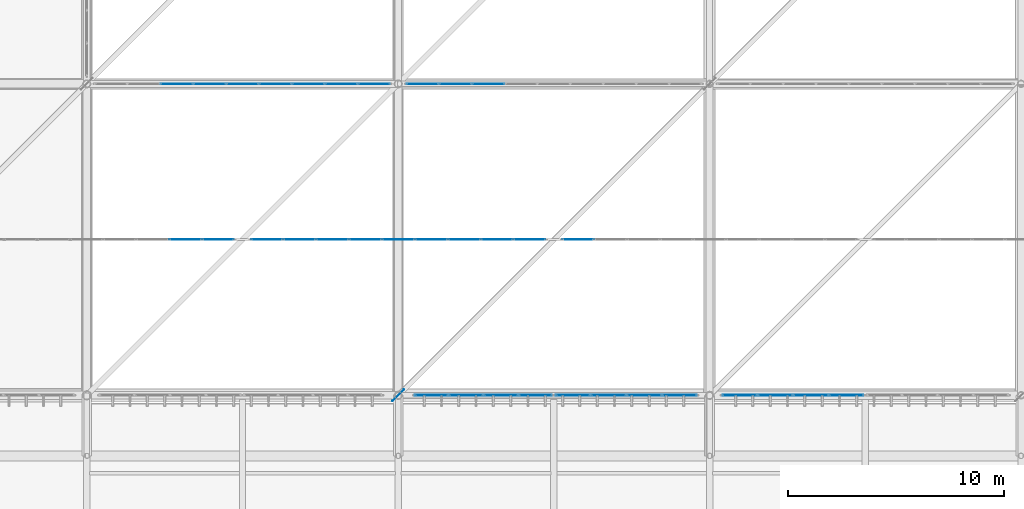
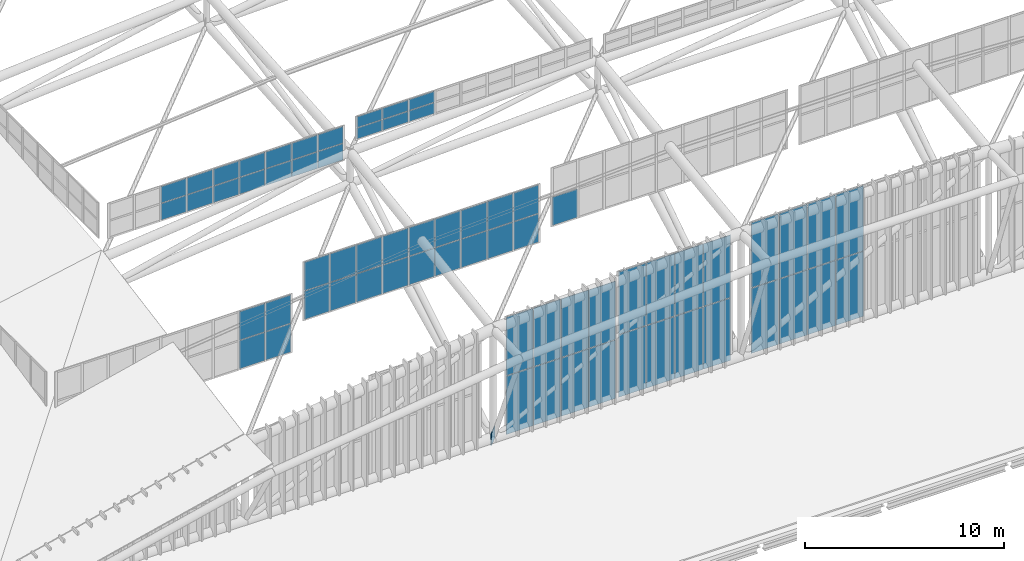
# One storey, part 360 of 397: 68 plates, 8 elements without a shape of their own.
"""IFC4 building model written with IfcOpenShell, lengths in metres."""

from ifc_helpers import new_model, si_unit, direction, frame, origin, origin_2d, place, context, subcontext, project, spatial, rectangle, extrude, material, layer, layer_set, type_object, element, aggregate, save


model = new_model("IFC4")

# Units and contexts
model_context = context("Model", 3, precision=1e-05, world=origin(), true_north=direction((0.0, 1.0)))
body_context = subcontext(model_context, "Body", "Model", "MODEL_VIEW")
ifc_project = project(units=[si_unit("LENGTHUNIT", "METRE"), si_unit("AREAUNIT", "SQUARE_METRE"), si_unit("VOLUMEUNIT", "CUBIC_METRE"), si_unit("PLANEANGLEUNIT", "RADIAN"), si_unit("MASSUNIT", "GRAM", prefix="KILO")], contexts=[model_context])

# Site, building, storey
site_placement = place(None, origin())
site = spatial("IfcSite", under=ifc_project, at=site_placement, CompositionType="ELEMENT")
building_placement = place(site_placement, origin())
building = spatial("IfcBuilding", under=site, at=building_placement, Name="Qandorah Velis Arena", CompositionType="ELEMENT")
storey_placement = place(building_placement, frame((0.0, 0.0, 27.5)))
storey = spatial("IfcBuildingStorey", under=building, at=storey_placement, Name="RF", CompositionType="ELEMENT", Elevation=27.5)

# Curtain wall, plates
ifc_material_1 = material(Name="Solar-control low-E double glazing", Category="glass")
curtain_wall_type_1 = type_object("IfcCurtainWallType", Name="ARC-CW-SYS19", PredefinedType="USERDEFINED", material=ifc_material_1)
curtain_wall_1_placement = place(storey_placement, origin())
curtain_wall_1 = element("IfcCurtainWall", 1, at=curtain_wall_1_placement, inside=storey, type_object=curtain_wall_type_1, Name="Unitised curtain wall MON-3-1", ObjectType="UNITISED CURTAIN WALL", PredefinedType="USERDEFINED")
ifc_layer_1 = layer(ifc_material_1, 0.030029296875)
ifc_layer_set_1 = layer_set([ifc_layer_1], Name="Solar-control low-E double glazing")
plate_type_1 = type_object("IfcPlateType", Name="ARC-CWP-GLZ30", PredefinedType="CURTAIN_PANEL", material=ifc_layer_set_1)
plate_1_placement = place(storey_placement, frame((33.36669921875, 21.60009765625, 3.685546875), z_axis=(0.0, 0.0, 1.0), x_axis=(1.0, 0.0, 0.0)))
plate_1 = element("IfcPlate", 2, at=plate_1_placement, type_object=plate_type_1, Name="CW19 panel 8.1", PredefinedType="CURTAIN_PANEL", context=body_context, shape_type="SweptSolid", body=[
    extrude(rectangle(XDim=1.4873046875, YDim=0.030029296875, at=origin_2d()), origin(), (0.0, 0.0, 1.0), 1.737548828125),
])
plate_2_placement = place(storey_placement, frame((33.36669921875, 21.60009765625, 5.45849609375), z_axis=(0.0, 0.0, 1.0), x_axis=(1.0, 0.0, 0.0)))
plate_2 = element("IfcPlate", 3, at=plate_2_placement, type_object=plate_type_1, Name="CW19 panel 8.2", PredefinedType="CURTAIN_PANEL", context=body_context, shape_type="SweptSolid", body=[
    extrude(rectangle(XDim=1.4873046875, YDim=0.030029296875, at=origin_2d()), origin(), (0.0, 0.0, 1.0), 1.737548828125),
])
plate_3_placement = place(storey_placement, frame((34.875244140625, 21.60009765625, 3.685546875), z_axis=(0.0, 0.0, 1.0), x_axis=(1.0, 0.0, 0.0)))
plate_3 = element("IfcPlate", 4, at=plate_3_placement, type_object=plate_type_1, Name="CW19 panel 9.1", PredefinedType="CURTAIN_PANEL", context=body_context, shape_type="SweptSolid", body=[
    extrude(rectangle(XDim=1.459716796875, YDim=0.030029296875, at=origin_2d()), origin(), (0.0, 0.0, 1.0), 1.737548828125),
])
plate_4_placement = place(storey_placement, frame((34.875244140625, 21.60009765625, 5.45849609375), z_axis=(0.0, 0.0, 1.0), x_axis=(1.0, 0.0, 0.0)))
plate_4 = element("IfcPlate", 5, at=plate_4_placement, type_object=plate_type_1, Name="CW19 panel 9.2", PredefinedType="CURTAIN_PANEL", context=body_context, shape_type="SweptSolid", body=[
    extrude(rectangle(XDim=1.459716796875, YDim=0.030029296875, at=origin_2d()), origin(), (0.0, 0.0, 1.0), 1.737548828125),
])
aggregate(curtain_wall_1, [plate_1, plate_2, plate_3, plate_4])

curtain_wall_type_2 = type_object("IfcCurtainWallType", Name="ARC-CW-SYS20", PredefinedType="USERDEFINED", material=ifc_material_1)
curtain_wall_2_placement = place(storey_placement, origin())
curtain_wall_2 = element("IfcCurtainWall", 6, at=curtain_wall_2_placement, inside=storey, type_object=curtain_wall_type_2, Name="Unitised curtain wall MON-3-2", ObjectType="UNITISED CURTAIN WALL", PredefinedType="USERDEFINED")
plate_5_placement = place(storey_placement, frame((37.124755859375, 21.60009765625, 5.3974609375), z_axis=(0.0, 0.0, 1.0), x_axis=(1.0, 0.0, 0.0)))
plate_5 = element("IfcPlate", 7, at=plate_5_placement, type_object=plate_type_1, Name="CW20 panel 1.1", PredefinedType="CURTAIN_PANEL", context=body_context, shape_type="SweptSolid", body=[
    extrude(rectangle(XDim=1.459716796875, YDim=0.030029296875, at=origin_2d()), origin(), (0.0, 0.0, 1.0), 1.737548828125),
])
plate_6_placement = place(storey_placement, frame((37.124755859375, 21.60009765625, 7.17041015625), z_axis=(0.0, 0.0, 1.0), x_axis=(1.0, 0.0, 0.0)))
plate_6 = element("IfcPlate", 8, at=plate_6_placement, type_object=plate_type_1, Name="CW20 panel 1.2", PredefinedType="CURTAIN_PANEL", context=body_context, shape_type="SweptSolid", body=[
    extrude(rectangle(XDim=1.459716796875, YDim=0.030029296875, at=origin_2d()), origin(), (0.0, 0.0, 1.0), 1.737548828125),
])
plate_7_placement = place(storey_placement, frame((38.63330078125, 21.60009765625, 5.3974609375), z_axis=(0.0, 0.0, 1.0), x_axis=(1.0, 0.0, 0.0)))
plate_7 = element("IfcPlate", 9, at=plate_7_placement, type_object=plate_type_1, Name="CW20 panel 2.1", PredefinedType="CURTAIN_PANEL", context=body_context, shape_type="SweptSolid", body=[
    extrude(rectangle(XDim=1.4873046875, YDim=0.030029296875, at=origin_2d()), origin(), (0.0, 0.0, 1.0), 1.737548828125),
])
plate_8_placement = place(storey_placement, frame((38.63330078125, 21.60009765625, 7.17041015625), z_axis=(0.0, 0.0, 1.0), x_axis=(1.0, 0.0, 0.0)))
plate_8 = element("IfcPlate", 10, at=plate_8_placement, type_object=plate_type_1, Name="CW20 panel 2.2", PredefinedType="CURTAIN_PANEL", context=body_context, shape_type="SweptSolid", body=[
    extrude(rectangle(XDim=1.4873046875, YDim=0.030029296875, at=origin_2d()), origin(), (0.0, 0.0, 1.0), 1.737548828125),
])
plate_9_placement = place(storey_placement, frame((40.155517578125, 21.60009765625, 5.3974609375), z_axis=(0.0, 0.0, 1.0), x_axis=(1.0, 0.0, 0.0)))
plate_9 = element("IfcPlate", 11, at=plate_9_placement, type_object=plate_type_1, Name="CW20 panel 3.1", PredefinedType="CURTAIN_PANEL", context=body_context, shape_type="SweptSolid", body=[
    extrude(rectangle(XDim=1.4873046875, YDim=0.030029296875, at=origin_2d()), origin(), (0.0, 0.0, 1.0), 1.737548828125),
])
plate_10_placement = place(storey_placement, frame((40.155517578125, 21.60009765625, 7.17041015625), z_axis=(0.0, 0.0, 1.0), x_axis=(1.0, 0.0, 0.0)))
plate_10 = element("IfcPlate", 12, at=plate_10_placement, type_object=plate_type_1, Name="CW20 panel 3.2", PredefinedType="CURTAIN_PANEL", context=body_context, shape_type="SweptSolid", body=[
    extrude(rectangle(XDim=1.4873046875, YDim=0.030029296875, at=origin_2d()), origin(), (0.0, 0.0, 1.0), 1.737548828125),
])
plate_11_placement = place(storey_placement, frame((41.677734375, 21.60009765625, 5.3974609375), z_axis=(0.0, 0.0, 1.0), x_axis=(1.0, 0.0, 0.0)))
plate_11 = element("IfcPlate", 13, at=plate_11_placement, type_object=plate_type_1, Name="CW20 panel 4.1", PredefinedType="CURTAIN_PANEL", context=body_context, shape_type="SweptSolid", body=[
    extrude(rectangle(XDim=1.4873046875, YDim=0.030029296875, at=origin_2d()), origin(), (0.0, 0.0, 1.0), 1.737548828125),
])
plate_12_placement = place(storey_placement, frame((41.677734375, 21.60009765625, 7.17041015625), z_axis=(0.0, 0.0, 1.0), x_axis=(1.0, 0.0, 0.0)))
plate_12 = element("IfcPlate", 14, at=plate_12_placement, type_object=plate_type_1, Name="CW20 panel 4.2", PredefinedType="CURTAIN_PANEL", context=body_context, shape_type="SweptSolid", body=[
    extrude(rectangle(XDim=1.4873046875, YDim=0.030029296875, at=origin_2d()), origin(), (0.0, 0.0, 1.0), 1.737548828125),
])
plate_13_placement = place(storey_placement, frame((43.199951171875, 21.60009765625, 5.3974609375), z_axis=(0.0, 0.0, 1.0), x_axis=(1.0, 0.0, 0.0)))
plate_13 = element("IfcPlate", 15, at=plate_13_placement, type_object=plate_type_1, Name="CW20 panel 5.1", PredefinedType="CURTAIN_PANEL", context=body_context, shape_type="SweptSolid", body=[
    extrude(rectangle(XDim=1.4873046875, YDim=0.030029296875, at=origin_2d()), origin(), (0.0, 0.0, 1.0), 1.737548828125),
])
plate_14_placement = place(storey_placement, frame((43.199951171875, 21.60009765625, 7.17041015625), z_axis=(0.0, 0.0, 1.0), x_axis=(1.0, 0.0, 0.0)))
plate_14 = element("IfcPlate", 16, at=plate_14_placement, type_object=plate_type_1, Name="CW20 panel 5.2", PredefinedType="CURTAIN_PANEL", context=body_context, shape_type="SweptSolid", body=[
    extrude(rectangle(XDim=1.4873046875, YDim=0.030029296875, at=origin_2d()), origin(), (0.0, 0.0, 1.0), 1.737548828125),
])
plate_15_placement = place(storey_placement, frame((44.72216796875, 21.60009765625, 5.3974609375), z_axis=(0.0, 0.0, 1.0), x_axis=(1.0, 0.0, 0.0)))
plate_15 = element("IfcPlate", 17, at=plate_15_placement, type_object=plate_type_1, Name="CW20 panel 6.1", PredefinedType="CURTAIN_PANEL", context=body_context, shape_type="SweptSolid", body=[
    extrude(rectangle(XDim=1.4873046875, YDim=0.030029296875, at=origin_2d()), origin(), (0.0, 0.0, 1.0), 1.737548828125),
])
plate_16_placement = place(storey_placement, frame((44.72216796875, 21.60009765625, 7.17041015625), z_axis=(0.0, 0.0, 1.0), x_axis=(1.0, 0.0, 0.0)))
plate_16 = element("IfcPlate", 18, at=plate_16_placement, type_object=plate_type_1, Name="CW20 panel 6.2", PredefinedType="CURTAIN_PANEL", context=body_context, shape_type="SweptSolid", body=[
    extrude(rectangle(XDim=1.4873046875, YDim=0.030029296875, at=origin_2d()), origin(), (0.0, 0.0, 1.0), 1.737548828125),
])
plate_17_placement = place(storey_placement, frame((46.244384765625, 21.60009765625, 5.3974609375), z_axis=(0.0, 0.0, 1.0), x_axis=(1.0, 0.0, 0.0)))
plate_17 = element("IfcPlate", 19, at=plate_17_placement, type_object=plate_type_1, Name="CW20 panel 7.1", PredefinedType="CURTAIN_PANEL", context=body_context, shape_type="SweptSolid", body=[
    extrude(rectangle(XDim=1.4873046875, YDim=0.030029296875, at=origin_2d()), origin(), (0.0, 0.0, 1.0), 1.737548828125),
])
plate_18_placement = place(storey_placement, frame((46.244384765625, 21.60009765625, 7.17041015625), z_axis=(0.0, 0.0, 1.0), x_axis=(1.0, 0.0, 0.0)))
plate_18 = element("IfcPlate", 20, at=plate_18_placement, type_object=plate_type_1, Name="CW20 panel 7.2", PredefinedType="CURTAIN_PANEL", context=body_context, shape_type="SweptSolid", body=[
    extrude(rectangle(XDim=1.4873046875, YDim=0.030029296875, at=origin_2d()), origin(), (0.0, 0.0, 1.0), 1.737548828125),
])
plate_19_placement = place(storey_placement, frame((47.7666015625, 21.60009765625, 5.3974609375), z_axis=(0.0, 0.0, 1.0), x_axis=(1.0, 0.0, 0.0)))
plate_19 = element("IfcPlate", 21, at=plate_19_placement, type_object=plate_type_1, Name="CW20 panel 8.1", PredefinedType="CURTAIN_PANEL", context=body_context, shape_type="SweptSolid", body=[
    extrude(rectangle(XDim=1.4873046875, YDim=0.030029296875, at=origin_2d()), origin(), (0.0, 0.0, 1.0), 1.737548828125),
])
plate_20_placement = place(storey_placement, frame((47.7666015625, 21.60009765625, 7.17041015625), z_axis=(0.0, 0.0, 1.0), x_axis=(1.0, 0.0, 0.0)))
plate_20 = element("IfcPlate", 22, at=plate_20_placement, type_object=plate_type_1, Name="CW20 panel 8.2", PredefinedType="CURTAIN_PANEL", context=body_context, shape_type="SweptSolid", body=[
    extrude(rectangle(XDim=1.4873046875, YDim=0.030029296875, at=origin_2d()), origin(), (0.0, 0.0, 1.0), 1.737548828125),
])
plate_21_placement = place(storey_placement, frame((49.275146484375, 21.60009765625, 5.3974609375), z_axis=(0.0, 0.0, 1.0), x_axis=(1.0, 0.0, 0.0)))
plate_21 = element("IfcPlate", 23, at=plate_21_placement, type_object=plate_type_1, Name="CW20 panel 9.1", PredefinedType="CURTAIN_PANEL", context=body_context, shape_type="SweptSolid", body=[
    extrude(rectangle(XDim=1.459716796875, YDim=0.030029296875, at=origin_2d()), origin(), (0.0, 0.0, 1.0), 1.737548828125),
])
plate_22_placement = place(storey_placement, frame((49.275146484375, 21.60009765625, 7.17041015625), z_axis=(0.0, 0.0, 1.0), x_axis=(1.0, 0.0, 0.0)))
plate_22 = element("IfcPlate", 24, at=plate_22_placement, type_object=plate_type_1, Name="CW20 panel 9.2", PredefinedType="CURTAIN_PANEL", context=body_context, shape_type="SweptSolid", body=[
    extrude(rectangle(XDim=1.459716796875, YDim=0.030029296875, at=origin_2d()), origin(), (0.0, 0.0, 1.0), 1.737548828125),
])
aggregate(curtain_wall_2, [plate_5, plate_6, plate_7, plate_8, plate_9, plate_10, plate_11, plate_12, plate_13, plate_14, plate_15, plate_16, plate_17, plate_18, plate_19, plate_20, plate_21, plate_22])

# Curtain wall, plate
curtain_wall_type_3 = type_object("IfcCurtainWallType", Name="ARC-CW-SYS21", PredefinedType="USERDEFINED", material=ifc_material_1)
curtain_wall_3_placement = place(storey_placement, origin())
curtain_wall_3 = element("IfcCurtainWall", 25, at=curtain_wall_3_placement, inside=storey, type_object=curtain_wall_type_3, Name="Unitised curtain wall MON-3-3", ObjectType="UNITISED CURTAIN WALL", PredefinedType="USERDEFINED")
plate_23_placement = place(storey_placement, frame((51.52490234375, 21.60009765625, 6.12451171875), z_axis=(0.0, 0.0, 1.0), x_axis=(1.0, 0.0, 0.0)))
plate_23 = element("IfcPlate", 26, at=plate_23_placement, type_object=plate_type_1, Name="CW21 panel 1.1", PredefinedType="CURTAIN_PANEL", context=body_context, shape_type="SweptSolid", body=[
    extrude(rectangle(XDim=1.459716796875, YDim=0.030029296875, at=origin_2d()), origin(), (0.0, 0.0, 1.0), 1.737548828125),
])
aggregate(curtain_wall_3, [plate_23])

# Curtain wall, plates
curtain_wall_type_4 = type_object("IfcCurtainWallType", Name="ARC-CW-SYS16", PredefinedType="USERDEFINED", material=ifc_material_1)
curtain_wall_4_placement = place(storey_placement, origin())
curtain_wall_4 = element("IfcCurtainWall", 27, at=curtain_wall_4_placement, inside=storey, type_object=curtain_wall_type_4, Name="Unitised curtain wall OCULUS-3-1", ObjectType="UNITISED CURTAIN WALL", PredefinedType="USERDEFINED")
plate_24_placement = place(storey_placement, frame((32.95556640625, 28.800048828125, 8.59521484375), z_axis=(0.0, 0.0, 1.0), x_axis=(1.0, 0.0, 0.0)))
plate_24 = element("IfcPlate", 28, at=plate_24_placement, type_object=plate_type_1, Name="CW16 panel 3.1", PredefinedType="CURTAIN_PANEL", context=body_context, shape_type="SweptSolid", body=[
    extrude(rectangle(XDim=1.4873046875, YDim=0.030029296875, at=origin_2d()), origin(), (0.0, 0.0, 1.0), 1.012451171875),
])
plate_25_placement = place(storey_placement, frame((32.95556640625, 28.800048828125, 9.642578125), z_axis=(0.0, 0.0, 1.0), x_axis=(1.0, 0.0, 0.0)))
plate_25 = element("IfcPlate", 29, at=plate_25_placement, type_object=plate_type_1, Name="CW16 panel 3.2", PredefinedType="CURTAIN_PANEL", context=body_context, shape_type="SweptSolid", body=[
    extrude(rectangle(XDim=1.4873046875, YDim=0.030029296875, at=origin_2d()), origin(), (0.0, 0.0, 1.0), 1.012451171875),
])
plate_26_placement = place(storey_placement, frame((34.477783203125, 28.800048828125, 8.59521484375), z_axis=(0.0, 0.0, 1.0), x_axis=(1.0, 0.0, 0.0)))
plate_26 = element("IfcPlate", 30, at=plate_26_placement, type_object=plate_type_1, Name="CW16 panel 4.1", PredefinedType="CURTAIN_PANEL", context=body_context, shape_type="SweptSolid", body=[
    extrude(rectangle(XDim=1.4873046875, YDim=0.030029296875, at=origin_2d()), origin(), (0.0, 0.0, 1.0), 1.012451171875),
])
plate_27_placement = place(storey_placement, frame((34.477783203125, 28.800048828125, 9.642578125), z_axis=(0.0, 0.0, 1.0), x_axis=(1.0, 0.0, 0.0)))
plate_27 = element("IfcPlate", 31, at=plate_27_placement, type_object=plate_type_1, Name="CW16 panel 4.2", PredefinedType="CURTAIN_PANEL", context=body_context, shape_type="SweptSolid", body=[
    extrude(rectangle(XDim=1.4873046875, YDim=0.030029296875, at=origin_2d()), origin(), (0.0, 0.0, 1.0), 1.012451171875),
])
plate_28_placement = place(storey_placement, frame((36.0, 28.800048828125, 8.59521484375), z_axis=(0.0, 0.0, 1.0), x_axis=(1.0, 0.0, 0.0)))
plate_28 = element("IfcPlate", 32, at=plate_28_placement, type_object=plate_type_1, Name="CW16 panel 5.1", PredefinedType="CURTAIN_PANEL", context=body_context, shape_type="SweptSolid", body=[
    extrude(rectangle(XDim=1.4873046875, YDim=0.030029296875, at=origin_2d()), origin(), (0.0, 0.0, 1.0), 1.012451171875),
])
plate_29_placement = place(storey_placement, frame((36.0, 28.800048828125, 9.642578125), z_axis=(0.0, 0.0, 1.0), x_axis=(1.0, 0.0, 0.0)))
plate_29 = element("IfcPlate", 33, at=plate_29_placement, type_object=plate_type_1, Name="CW16 panel 5.2", PredefinedType="CURTAIN_PANEL", context=body_context, shape_type="SweptSolid", body=[
    extrude(rectangle(XDim=1.4873046875, YDim=0.030029296875, at=origin_2d()), origin(), (0.0, 0.0, 1.0), 1.012451171875),
])
plate_30_placement = place(storey_placement, frame((37.522216796875, 28.800048828125, 8.59521484375), z_axis=(0.0, 0.0, 1.0), x_axis=(1.0, 0.0, 0.0)))
plate_30 = element("IfcPlate", 34, at=plate_30_placement, type_object=plate_type_1, Name="CW16 panel 6.1", PredefinedType="CURTAIN_PANEL", context=body_context, shape_type="SweptSolid", body=[
    extrude(rectangle(XDim=1.4873046875, YDim=0.030029296875, at=origin_2d()), origin(), (0.0, 0.0, 1.0), 1.012451171875),
])
plate_31_placement = place(storey_placement, frame((37.522216796875, 28.800048828125, 9.642578125), z_axis=(0.0, 0.0, 1.0), x_axis=(1.0, 0.0, 0.0)))
plate_31 = element("IfcPlate", 35, at=plate_31_placement, type_object=plate_type_1, Name="CW16 panel 6.2", PredefinedType="CURTAIN_PANEL", context=body_context, shape_type="SweptSolid", body=[
    extrude(rectangle(XDim=1.4873046875, YDim=0.030029296875, at=origin_2d()), origin(), (0.0, 0.0, 1.0), 1.012451171875),
])
plate_32_placement = place(storey_placement, frame((39.04443359375, 28.800048828125, 8.59521484375), z_axis=(0.0, 0.0, 1.0), x_axis=(1.0, 0.0, 0.0)))
plate_32 = element("IfcPlate", 36, at=plate_32_placement, type_object=plate_type_1, Name="CW16 panel 7.1", PredefinedType="CURTAIN_PANEL", context=body_context, shape_type="SweptSolid", body=[
    extrude(rectangle(XDim=1.4873046875, YDim=0.030029296875, at=origin_2d()), origin(), (0.0, 0.0, 1.0), 1.012451171875),
])
plate_33_placement = place(storey_placement, frame((39.04443359375, 28.800048828125, 9.642578125), z_axis=(0.0, 0.0, 1.0), x_axis=(1.0, 0.0, 0.0)))
plate_33 = element("IfcPlate", 37, at=plate_33_placement, type_object=plate_type_1, Name="CW16 panel 7.2", PredefinedType="CURTAIN_PANEL", context=body_context, shape_type="SweptSolid", body=[
    extrude(rectangle(XDim=1.4873046875, YDim=0.030029296875, at=origin_2d()), origin(), (0.0, 0.0, 1.0), 1.012451171875),
])
plate_34_placement = place(storey_placement, frame((40.566650390625, 28.800048828125, 8.59521484375), z_axis=(0.0, 0.0, 1.0), x_axis=(1.0, 0.0, 0.0)))
plate_34 = element("IfcPlate", 38, at=plate_34_placement, type_object=plate_type_1, Name="CW16 panel 8.1", PredefinedType="CURTAIN_PANEL", context=body_context, shape_type="SweptSolid", body=[
    extrude(rectangle(XDim=1.4873046875, YDim=0.030029296875, at=origin_2d()), origin(), (0.0, 0.0, 1.0), 1.012451171875),
])
plate_35_placement = place(storey_placement, frame((40.566650390625, 28.800048828125, 9.642578125), z_axis=(0.0, 0.0, 1.0), x_axis=(1.0, 0.0, 0.0)))
plate_35 = element("IfcPlate", 39, at=plate_35_placement, type_object=plate_type_1, Name="CW16 panel 8.2", PredefinedType="CURTAIN_PANEL", context=body_context, shape_type="SweptSolid", body=[
    extrude(rectangle(XDim=1.4873046875, YDim=0.030029296875, at=origin_2d()), origin(), (0.0, 0.0, 1.0), 1.012451171875),
])
plate_36_placement = place(storey_placement, frame((42.0751953125, 28.800048828125, 8.59521484375), z_axis=(0.0, 0.0, 1.0), x_axis=(1.0, 0.0, 0.0)))
plate_36 = element("IfcPlate", 40, at=plate_36_placement, type_object=plate_type_1, Name="CW16 panel 9.1", PredefinedType="CURTAIN_PANEL", context=body_context, shape_type="SweptSolid", body=[
    extrude(rectangle(XDim=1.459716796875, YDim=0.030029296875, at=origin_2d()), origin(), (0.0, 0.0, 1.0), 1.012451171875),
])
plate_37_placement = place(storey_placement, frame((42.0751953125, 28.800048828125, 9.642578125), z_axis=(0.0, 0.0, 1.0), x_axis=(1.0, 0.0, 0.0)))
plate_37 = element("IfcPlate", 41, at=plate_37_placement, type_object=plate_type_1, Name="CW16 panel 9.2", PredefinedType="CURTAIN_PANEL", context=body_context, shape_type="SweptSolid", body=[
    extrude(rectangle(XDim=1.459716796875, YDim=0.030029296875, at=origin_2d()), origin(), (0.0, 0.0, 1.0), 1.012451171875),
])
aggregate(curtain_wall_4, [plate_24, plate_25, plate_26, plate_27, plate_28, plate_29, plate_30, plate_31, plate_32, plate_33, plate_34, plate_35, plate_36, plate_37])

curtain_wall_type_5 = type_object("IfcCurtainWallType", Name="ARC-CW-SYS17", PredefinedType="USERDEFINED", material=ifc_material_1)
curtain_wall_5_placement = place(storey_placement, origin())
curtain_wall_5 = element("IfcCurtainWall", 42, at=curtain_wall_5_placement, inside=storey, type_object=curtain_wall_type_5, Name="Unitised curtain wall OCULUS-3-2", ObjectType="UNITISED CURTAIN WALL", PredefinedType="USERDEFINED")
plate_38_placement = place(storey_placement, frame((44.324951171875, 28.800048828125, 9.593994140625), z_axis=(0.0, 0.0, 1.0), x_axis=(1.0, 0.0, 0.0)))
plate_38 = element("IfcPlate", 43, at=plate_38_placement, type_object=plate_type_1, Name="CW17 panel 1.1", PredefinedType="CURTAIN_PANEL", context=body_context, shape_type="SweptSolid", body=[
    extrude(rectangle(XDim=1.459716796875, YDim=0.030029296875, at=origin_2d()), origin(), (0.0, 0.0, 1.0), 0.6630859375),
])
plate_39_placement = place(storey_placement, frame((44.324951171875, 28.800048828125, 10.2919921875), z_axis=(0.0, 0.0, 1.0), x_axis=(1.0, 0.0, 0.0)))
plate_39 = element("IfcPlate", 44, at=plate_39_placement, type_object=plate_type_1, Name="CW17 panel 1.2", PredefinedType="CURTAIN_PANEL", context=body_context, shape_type="SweptSolid", body=[
    extrude(rectangle(XDim=1.459716796875, YDim=0.030029296875, at=origin_2d()), origin(), (0.0, 0.0, 1.0), 0.662841796875),
])
plate_40_placement = place(storey_placement, frame((45.833251953125, 28.800048828125, 9.593994140625), z_axis=(0.0, 0.0, 1.0), x_axis=(1.0, 0.0, 0.0)))
plate_40 = element("IfcPlate", 45, at=plate_40_placement, type_object=plate_type_1, Name="CW17 panel 2.1", PredefinedType="CURTAIN_PANEL", context=body_context, shape_type="SweptSolid", body=[
    extrude(rectangle(XDim=1.4873046875, YDim=0.030029296875, at=origin_2d()), origin(), (0.0, 0.0, 1.0), 0.6630859375),
])
plate_41_placement = place(storey_placement, frame((45.833251953125, 28.800048828125, 10.2919921875), z_axis=(0.0, 0.0, 1.0), x_axis=(1.0, 0.0, 0.0)))
plate_41 = element("IfcPlate", 46, at=plate_41_placement, type_object=plate_type_1, Name="CW17 panel 2.2", PredefinedType="CURTAIN_PANEL", context=body_context, shape_type="SweptSolid", body=[
    extrude(rectangle(XDim=1.4873046875, YDim=0.030029296875, at=origin_2d()), origin(), (0.0, 0.0, 1.0), 0.662841796875),
])
plate_42_placement = place(storey_placement, frame((47.35546875, 28.800048828125, 9.593994140625), z_axis=(0.0, 0.0, 1.0), x_axis=(1.0, 0.0, 0.0)))
plate_42 = element("IfcPlate", 47, at=plate_42_placement, type_object=plate_type_1, Name="CW17 panel 3.1", PredefinedType="CURTAIN_PANEL", context=body_context, shape_type="SweptSolid", body=[
    extrude(rectangle(XDim=1.4873046875, YDim=0.030029296875, at=origin_2d()), origin(), (0.0, 0.0, 1.0), 0.6630859375),
])
plate_43_placement = place(storey_placement, frame((47.35546875, 28.800048828125, 10.2919921875), z_axis=(0.0, 0.0, 1.0), x_axis=(1.0, 0.0, 0.0)))
plate_43 = element("IfcPlate", 48, at=plate_43_placement, type_object=plate_type_1, Name="CW17 panel 3.2", PredefinedType="CURTAIN_PANEL", context=body_context, shape_type="SweptSolid", body=[
    extrude(rectangle(XDim=1.4873046875, YDim=0.030029296875, at=origin_2d()), origin(), (0.0, 0.0, 1.0), 0.662841796875),
])
aggregate(curtain_wall_5, [plate_38, plate_39, plate_40, plate_41, plate_42, plate_43])

curtain_wall_6_placement = place(storey_placement, origin())
curtain_wall_6 = element("IfcCurtainWall", 49, at=curtain_wall_6_placement, inside=storey, type_object=curtain_wall_type_1, Name="Unitised curtain wall CROWN-3-03S1", ObjectType="UNITISED CURTAIN WALL", PredefinedType="USERDEFINED")
ifc_layer_2 = layer(ifc_material_1, 0.035888671875)
ifc_layer_set_2 = layer_set([ifc_layer_2], Name="Solar-control low-E double glazing")
plate_type_2 = type_object("IfcPlateType", Name="ARC-CWP-GLZ36", PredefinedType="CURTAIN_PANEL", material=ifc_layer_set_2)
plate_44_placement = place(storey_placement, frame((44.744384765625, 14.39990234375, 0.0498046875), z_axis=(0.0, 0.0, 1.0), x_axis=(1.0, 0.0, 0.0)))
plate_44 = element("IfcPlate", 50, at=plate_44_placement, type_object=plate_type_2, Name="CW19 panel 1.1", PredefinedType="CURTAIN_PANEL", context=body_context, shape_type="SweptSolid", body=[
    extrude(rectangle(XDim=1.538818359375, YDim=0.035888671875, at=origin_2d()), origin(), (0.0, 0.0, 1.0), 3.579833984375),
])
plate_45_placement = place(storey_placement, frame((44.744384765625, 14.39990234375, 3.669921875), z_axis=(0.0, 0.0, 1.0), x_axis=(1.0, 0.0, 0.0)))
plate_45 = element("IfcPlate", 51, at=plate_45_placement, type_object=plate_type_2, Name="CW19 panel 1.2", PredefinedType="CURTAIN_PANEL", context=body_context, shape_type="SweptSolid", body=[
    extrude(rectangle(XDim=1.538818359375, YDim=0.035888671875, at=origin_2d()), origin(), (0.0, 0.0, 1.0), 3.579833984375),
])
plate_46_placement = place(storey_placement, frame((46.338134765625, 14.39990234375, 0.0498046875), z_axis=(0.0, 0.0, 1.0), x_axis=(1.0, 0.0, 0.0)))
plate_46 = element("IfcPlate", 52, at=plate_46_placement, type_object=plate_type_2, Name="CW19 panel 2.1", PredefinedType="CURTAIN_PANEL", context=body_context, shape_type="SweptSolid", body=[
    extrude(rectangle(XDim=1.56884765625, YDim=0.035888671875, at=origin_2d()), origin(), (0.0, 0.0, 1.0), 3.579833984375),
])
plate_47_placement = place(storey_placement, frame((46.338134765625, 14.39990234375, 3.669921875), z_axis=(0.0, 0.0, 1.0), x_axis=(1.0, 0.0, 0.0)))
plate_47 = element("IfcPlate", 53, at=plate_47_placement, type_object=plate_type_2, Name="CW19 panel 2.2", PredefinedType="CURTAIN_PANEL", context=body_context, shape_type="SweptSolid", body=[
    extrude(rectangle(XDim=1.56884765625, YDim=0.035888671875, at=origin_2d()), origin(), (0.0, 0.0, 1.0), 3.579833984375),
])
plate_48_placement = place(storey_placement, frame((47.94677734375, 14.39990234375, 0.0498046875), z_axis=(0.0, 0.0, 1.0), x_axis=(1.0, 0.0, 0.0)))
plate_48 = element("IfcPlate", 54, at=plate_48_placement, type_object=plate_type_2, Name="CW19 panel 3.1", PredefinedType="CURTAIN_PANEL", context=body_context, shape_type="SweptSolid", body=[
    extrude(rectangle(XDim=1.56884765625, YDim=0.035888671875, at=origin_2d()), origin(), (0.0, 0.0, 1.0), 3.579833984375),
])
plate_49_placement = place(storey_placement, frame((47.94677734375, 14.39990234375, 3.669921875), z_axis=(0.0, 0.0, 1.0), x_axis=(1.0, 0.0, 0.0)))
plate_49 = element("IfcPlate", 55, at=plate_49_placement, type_object=plate_type_2, Name="CW19 panel 3.2", PredefinedType="CURTAIN_PANEL", context=body_context, shape_type="SweptSolid", body=[
    extrude(rectangle(XDim=1.56884765625, YDim=0.035888671875, at=origin_2d()), origin(), (0.0, 0.0, 1.0), 3.579833984375),
])
plate_50_placement = place(storey_placement, frame((49.54052734375, 14.39990234375, 0.0498046875), z_axis=(0.0, 0.0, 1.0), x_axis=(1.0, 0.0, 0.0)))
plate_50 = element("IfcPlate", 56, at=plate_50_placement, type_object=plate_type_2, Name="CW19 panel 4.1", PredefinedType="CURTAIN_PANEL", context=body_context, shape_type="SweptSolid", body=[
    extrude(rectangle(XDim=1.538818359375, YDim=0.035888671875, at=origin_2d()), origin(), (0.0, 0.0, 1.0), 3.579833984375),
])
plate_51_placement = place(storey_placement, frame((49.54052734375, 14.39990234375, 3.669921875), z_axis=(0.0, 0.0, 1.0), x_axis=(1.0, 0.0, 0.0)))
plate_51 = element("IfcPlate", 57, at=plate_51_placement, type_object=plate_type_2, Name="CW19 panel 4.2", PredefinedType="CURTAIN_PANEL", context=body_context, shape_type="SweptSolid", body=[
    extrude(rectangle(XDim=1.538818359375, YDim=0.035888671875, at=origin_2d()), origin(), (0.0, 0.0, 1.0), 3.579833984375),
])
aggregate(curtain_wall_6, [plate_44, plate_45, plate_46, plate_47, plate_48, plate_49, plate_50, plate_51])

curtain_wall_7_placement = place(storey_placement, origin())
curtain_wall_7 = element("IfcCurtainWall", 58, at=curtain_wall_7_placement, inside=storey, type_object=curtain_wall_type_2, Name="Unitised curtain wall CROWN-3-03S2", ObjectType="UNITISED CURTAIN WALL", PredefinedType="USERDEFINED")
plate_52_placement = place(storey_placement, frame((51.28125, 14.39990234375, 0.0498046875), z_axis=(0.0, 0.0, 1.0), x_axis=(1.0, 0.0, 0.0)))
plate_52 = element("IfcPlate", 59, at=plate_52_placement, type_object=plate_type_2, Name="CW20 panel 1.1", PredefinedType="CURTAIN_PANEL", context=body_context, shape_type="SweptSolid", body=[
    extrude(rectangle(XDim=1.58251953125, YDim=0.035888671875, at=origin_2d()), origin(), (0.0, 0.0, 1.0), 3.828369140625),
])
plate_53_placement = place(storey_placement, frame((51.28125, 14.39990234375, 3.91845703125), z_axis=(0.0, 0.0, 1.0), x_axis=(1.0, 0.0, 0.0)))
plate_53 = element("IfcPlate", 60, at=plate_53_placement, type_object=plate_type_2, Name="CW20 panel 1.2", PredefinedType="CURTAIN_PANEL", context=body_context, shape_type="SweptSolid", body=[
    extrude(rectangle(XDim=1.58251953125, YDim=0.035888671875, at=origin_2d()), origin(), (0.0, 0.0, 1.0), 3.828125),
])
plate_54_placement = place(storey_placement, frame((52.918701171875, 14.39990234375, 0.0498046875), z_axis=(0.0, 0.0, 1.0), x_axis=(1.0, 0.0, 0.0)))
plate_54 = element("IfcPlate", 61, at=plate_54_placement, type_object=plate_type_2, Name="CW20 panel 2.1", PredefinedType="CURTAIN_PANEL", context=body_context, shape_type="SweptSolid", body=[
    extrude(rectangle(XDim=1.612548828125, YDim=0.035888671875, at=origin_2d()), origin(), (0.0, 0.0, 1.0), 3.828369140625),
])
plate_55_placement = place(storey_placement, frame((52.918701171875, 14.39990234375, 3.91845703125), z_axis=(0.0, 0.0, 1.0), x_axis=(1.0, 0.0, 0.0)))
plate_55 = element("IfcPlate", 62, at=plate_55_placement, type_object=plate_type_2, Name="CW20 panel 2.2", PredefinedType="CURTAIN_PANEL", context=body_context, shape_type="SweptSolid", body=[
    extrude(rectangle(XDim=1.612548828125, YDim=0.035888671875, at=origin_2d()), origin(), (0.0, 0.0, 1.0), 3.828125),
])
plate_56_placement = place(storey_placement, frame((54.5712890625, 14.39990234375, 0.0498046875), z_axis=(0.0, 0.0, 1.0), x_axis=(1.0, 0.0, 0.0)))
plate_56 = element("IfcPlate", 63, at=plate_56_placement, type_object=plate_type_2, Name="CW20 panel 3.1", PredefinedType="CURTAIN_PANEL", context=body_context, shape_type="SweptSolid", body=[
    extrude(rectangle(XDim=1.612548828125, YDim=0.035888671875, at=origin_2d()), origin(), (0.0, 0.0, 1.0), 3.828369140625),
])
plate_57_placement = place(storey_placement, frame((54.5712890625, 14.39990234375, 3.91845703125), z_axis=(0.0, 0.0, 1.0), x_axis=(1.0, 0.0, 0.0)))
plate_57 = element("IfcPlate", 64, at=plate_57_placement, type_object=plate_type_2, Name="CW20 panel 3.2", PredefinedType="CURTAIN_PANEL", context=body_context, shape_type="SweptSolid", body=[
    extrude(rectangle(XDim=1.612548828125, YDim=0.035888671875, at=origin_2d()), origin(), (0.0, 0.0, 1.0), 3.828125),
])
plate_58_placement = place(storey_placement, frame((56.208740234375, 14.39990234375, 0.0498046875), z_axis=(0.0, 0.0, 1.0), x_axis=(1.0, 0.0, 0.0)))
plate_58 = element("IfcPlate", 65, at=plate_58_placement, type_object=plate_type_2, Name="CW20 panel 4.1", PredefinedType="CURTAIN_PANEL", context=body_context, shape_type="SweptSolid", body=[
    extrude(rectangle(XDim=1.58251953125, YDim=0.035888671875, at=origin_2d()), origin(), (0.0, 0.0, 1.0), 3.828369140625),
])
plate_59_placement = place(storey_placement, frame((56.208740234375, 14.39990234375, 3.91845703125), z_axis=(0.0, 0.0, 1.0), x_axis=(1.0, 0.0, 0.0)))
plate_59 = element("IfcPlate", 66, at=plate_59_placement, type_object=plate_type_2, Name="CW20 panel 4.2", PredefinedType="CURTAIN_PANEL", context=body_context, shape_type="SweptSolid", body=[
    extrude(rectangle(XDim=1.58251953125, YDim=0.035888671875, at=origin_2d()), origin(), (0.0, 0.0, 1.0), 3.828125),
])
aggregate(curtain_wall_7, [plate_52, plate_53, plate_54, plate_55, plate_56, plate_57, plate_58, plate_59])

curtain_wall_8_placement = place(storey_placement, origin())
curtain_wall_8 = element("IfcCurtainWall", 67, at=curtain_wall_8_placement, inside=storey, type_object=curtain_wall_type_2, Name="Unitised curtain wall CROWN-3-04S1", ObjectType="UNITISED CURTAIN WALL", PredefinedType="USERDEFINED")
plate_60_placement = place(storey_placement, frame((58.9912109375, 14.39990234375, 0.050048828125), z_axis=(0.0, 0.0, 1.0), x_axis=(1.0, 0.0, 0.0)))
plate_60 = element("IfcPlate", 68, at=plate_60_placement, type_object=plate_type_2, Name="CW20 panel 1.1", PredefinedType="CURTAIN_PANEL", context=body_context, shape_type="SweptSolid", body=[
    extrude(rectangle(XDim=1.58251953125, YDim=0.035888671875, at=origin_2d()), origin(), (0.0, 0.0, 1.0), 3.990234375),
])
plate_61_placement = place(storey_placement, frame((58.9912109375, 14.39990234375, 4.080078125), z_axis=(0.0, 0.0, 1.0), x_axis=(1.0, 0.0, 0.0)))
plate_61 = element("IfcPlate", 69, at=plate_61_placement, type_object=plate_type_2, Name="CW20 panel 1.2", PredefinedType="CURTAIN_PANEL", context=body_context, shape_type="SweptSolid", body=[
    extrude(rectangle(XDim=1.58251953125, YDim=0.035888671875, at=origin_2d()), origin(), (0.0, 0.0, 1.0), 3.990478515625),
])
plate_62_placement = place(storey_placement, frame((60.628662109375, 14.39990234375, 0.050048828125), z_axis=(0.0, 0.0, 1.0), x_axis=(1.0, 0.0, 0.0)))
plate_62 = element("IfcPlate", 70, at=plate_62_placement, type_object=plate_type_2, Name="CW20 panel 2.1", PredefinedType="CURTAIN_PANEL", context=body_context, shape_type="SweptSolid", body=[
    extrude(rectangle(XDim=1.612548828125, YDim=0.035888671875, at=origin_2d()), origin(), (0.0, 0.0, 1.0), 3.990234375),
])
plate_63_placement = place(storey_placement, frame((60.628662109375, 14.39990234375, 4.080078125), z_axis=(0.0, 0.0, 1.0), x_axis=(1.0, 0.0, 0.0)))
plate_63 = element("IfcPlate", 71, at=plate_63_placement, type_object=plate_type_2, Name="CW20 panel 2.2", PredefinedType="CURTAIN_PANEL", context=body_context, shape_type="SweptSolid", body=[
    extrude(rectangle(XDim=1.612548828125, YDim=0.035888671875, at=origin_2d()), origin(), (0.0, 0.0, 1.0), 3.990478515625),
])
plate_64_placement = place(storey_placement, frame((62.28125, 14.39990234375, 0.050048828125), z_axis=(0.0, 0.0, 1.0), x_axis=(1.0, 0.0, 0.0)))
plate_64 = element("IfcPlate", 72, at=plate_64_placement, type_object=plate_type_2, Name="CW20 panel 3.1", PredefinedType="CURTAIN_PANEL", context=body_context, shape_type="SweptSolid", body=[
    extrude(rectangle(XDim=1.612548828125, YDim=0.035888671875, at=origin_2d()), origin(), (0.0, 0.0, 1.0), 3.990234375),
])
plate_65_placement = place(storey_placement, frame((62.28125, 14.39990234375, 4.080078125), z_axis=(0.0, 0.0, 1.0), x_axis=(1.0, 0.0, 0.0)))
plate_65 = element("IfcPlate", 73, at=plate_65_placement, type_object=plate_type_2, Name="CW20 panel 3.2", PredefinedType="CURTAIN_PANEL", context=body_context, shape_type="SweptSolid", body=[
    extrude(rectangle(XDim=1.612548828125, YDim=0.035888671875, at=origin_2d()), origin(), (0.0, 0.0, 1.0), 3.990478515625),
])
plate_66_placement = place(storey_placement, frame((63.918701171875, 14.39990234375, 0.050048828125), z_axis=(0.0, 0.0, 1.0), x_axis=(1.0, 0.0, 0.0)))
plate_66 = element("IfcPlate", 74, at=plate_66_placement, type_object=plate_type_2, Name="CW20 panel 4.1", PredefinedType="CURTAIN_PANEL", context=body_context, shape_type="SweptSolid", body=[
    extrude(rectangle(XDim=1.58251953125, YDim=0.035888671875, at=origin_2d()), origin(), (0.0, 0.0, 1.0), 3.990234375),
])
plate_67_placement = place(storey_placement, frame((63.918701171875, 14.39990234375, 4.080078125), z_axis=(0.0, 0.0, 1.0), x_axis=(1.0, 0.0, 0.0)))
plate_67 = element("IfcPlate", 75, at=plate_67_placement, type_object=plate_type_2, Name="CW20 panel 4.2", PredefinedType="CURTAIN_PANEL", context=body_context, shape_type="SweptSolid", body=[
    extrude(rectangle(XDim=1.58251953125, YDim=0.035888671875, at=origin_2d()), origin(), (0.0, 0.0, 1.0), 3.990478515625),
])
aggregate(curtain_wall_8, [plate_60, plate_61, plate_62, plate_63, plate_64, plate_65, plate_66, plate_67])

# Plate
ifc_material_2 = material(Name="Steel S355", Category="steel")
ifc_layer_3 = layer(ifc_material_2, 0.031982421875)
ifc_layer_set_3 = layer_set([ifc_layer_3], Name="Steel S355")
plate_type_3 = type_object("IfcPlateType", Name="STR-PLT-GUS32", PredefinedType="SHEET", material=ifc_layer_set_3)
plate_68_placement = place(storey_placement, frame((43.199951171875, 14.39990234375, -0.125), z_axis=(0.0, 0.0, 1.0), x_axis=(0.707106781187, 0.707106781187, 0.0)))
element("IfcPlate", 76, at=plate_68_placement, inside=storey, type_object=plate_type_3, Name="Space frame gusset plate 2.0", PredefinedType="SHEET", context=body_context, shape_type="SweptSolid", body=[
    extrude(rectangle(XDim=0.75, YDim=0.031982421875, at=origin_2d()), origin(), (0.0, 0.0, 1.0), 0.75),
])

save(model, "model.ifc")
